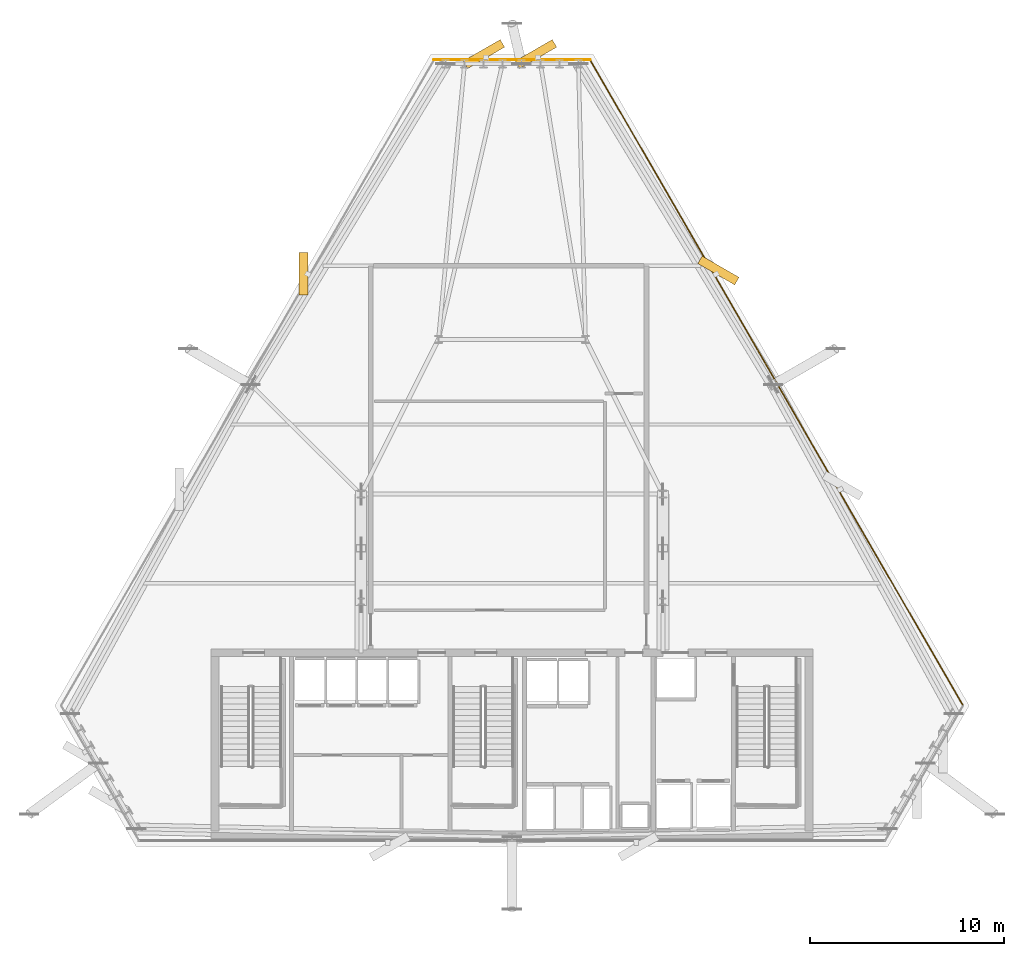
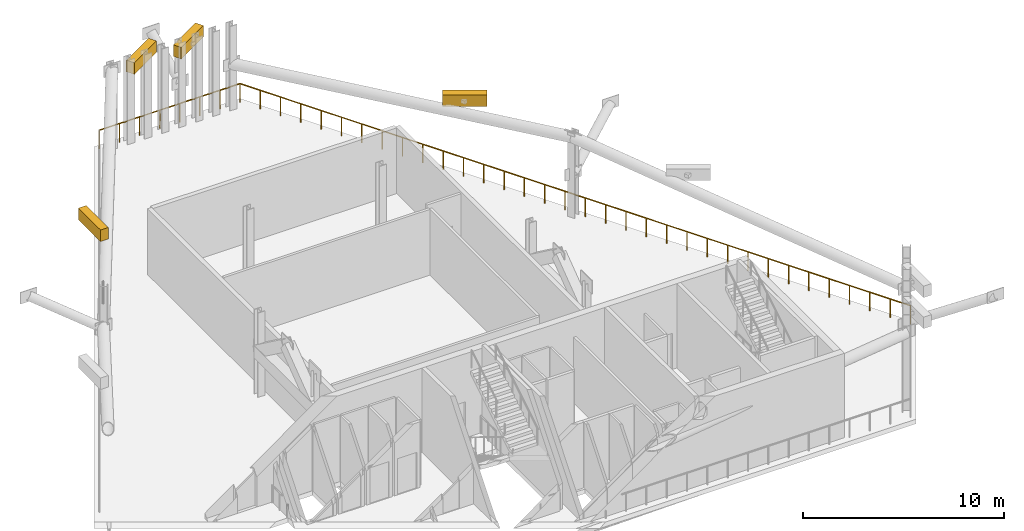
# One storey, part 11 of 11: 4 shading devices, 2 railings.
"""IFC4 building model written with IfcOpenShell, lengths in metres."""

from ifc_helpers import new_model, si_unit, direction, frame, origin, origin_2d, place, context, subcontext, project, spatial, rectangle, circle, extrude, material, layer, layer_set, type_object, element, save


model = new_model("IFC4")

# Units and contexts
model_context = context("Model", 3, precision=1e-05, world=origin(), true_north=direction((0.0, 1.0)))
body_context = subcontext(model_context, "Body", "Model", "MODEL_VIEW")
ifc_project = project(units=[si_unit("LENGTHUNIT", "METRE"), si_unit("AREAUNIT", "SQUARE_METRE"), si_unit("VOLUMEUNIT", "CUBIC_METRE"), si_unit("PLANEANGLEUNIT", "RADIAN"), si_unit("MASSUNIT", "GRAM", prefix="KILO")], contexts=[model_context])

# Site, building, storey
site_placement = place(None, origin())
site = spatial("IfcSite", under=ifc_project, at=site_placement, CompositionType="ELEMENT")
building_placement = place(site_placement, origin())
building = spatial("IfcBuilding", under=site, at=building_placement, Name="Ndaravel Arena Tower", CompositionType="ELEMENT")
storey_placement = place(building_placement, frame((0.0, 0.0, 203.0)))
storey = spatial("IfcBuildingStorey", under=building, at=storey_placement, Name="L49", CompositionType="ELEMENT", Elevation=203.0)

# Railings
ifc_material_1 = material(Name="Glazing", Category="glass")
ifc_layer = layer(ifc_material_1, 0.070068359375)
ifc_layer_set = layer_set([ifc_layer], Name="Glazing")
railing_type = type_object("IfcRailingType", Name="RAIL-TERRACE-1150", PredefinedType="BALUSTRADE", material=ifc_layer_set)
railing_1_placement = place(storey_placement, frame((65.3046875, 12.272705078125, 0.0)))
element("IfcRailing", 1, at=railing_1_placement, inside=storey, type_object=railing_type, Name="L49 Open Wind Floor Perimeter Guard 3", PredefinedType="BALUSTRADE", context=body_context, shape_type="SweptSolid", body=[
    extrude(circle(Radius=0.02392578125, at=origin_2d()), frame((0.0, 0.0, 1.1259765625), z_axis=(-0.500003977174, 0.86602310755, 0.0), x_axis=(-0.86602310755, -0.500003977174, 0.0)), (0.0, 0.0, 1.0), 38.534912109375),
    extrude(circle(Radius=0.02099609375, at=origin_2d()), origin(), (0.0, 0.0, 1.0), 1.101806640625),
    extrude(circle(Radius=0.02099609375, at=origin_2d()), frame((-0.583984375, 1.01123046875, 0.0)), (0.0, 0.0, 1.0), 1.101806640625),
    extrude(circle(Radius=0.02099609375, at=origin_2d()), frame((-1.167724609375, 2.0224609375, 0.0)), (0.0, 0.0, 1.0), 1.101806640625),
    extrude(circle(Radius=0.02099609375, at=origin_2d()), frame((-1.751708984375, 3.033935546875, 0.0)), (0.0, 0.0, 1.0), 1.101806640625),
    extrude(circle(Radius=0.02099609375, at=origin_2d()), frame((-2.33544921875, 4.045166015625, 0.0)), (0.0, 0.0, 1.0), 1.101806640625),
    extrude(circle(Radius=0.02099609375, at=origin_2d()), frame((-2.91943359375, 5.056396484375, 0.0)), (0.0, 0.0, 1.0), 1.101806640625),
    extrude(circle(Radius=0.02099609375, at=origin_2d()), frame((-3.503173828125, 6.067626953125, 0.0)), (0.0, 0.0, 1.0), 1.101806640625),
    extrude(circle(Radius=0.02099609375, at=origin_2d()), frame((-4.087158203125, 7.078857421875, 0.0)), (0.0, 0.0, 1.0), 1.101806640625),
    extrude(circle(Radius=0.02099609375, at=origin_2d()), frame((-4.6708984375, 8.090087890625, 0.0)), (0.0, 0.0, 1.0), 1.101806640625),
    extrude(circle(Radius=0.02099609375, at=origin_2d()), frame((-5.2548828125, 9.1015625, 0.0)), (0.0, 0.0, 1.0), 1.101806640625),
    extrude(circle(Radius=0.02099609375, at=origin_2d()), frame((-5.838623046875, 10.11279296875, 0.0)), (0.0, 0.0, 1.0), 1.101806640625),
    extrude(circle(Radius=0.02099609375, at=origin_2d()), frame((-6.422607421875, 11.1240234375, 0.0)), (0.0, 0.0, 1.0), 1.101806640625),
    extrude(circle(Radius=0.02099609375, at=origin_2d()), frame((-7.00634765625, 12.13525390625, 0.0)), (0.0, 0.0, 1.0), 1.101806640625),
    extrude(circle(Radius=0.02099609375, at=origin_2d()), frame((-7.59033203125, 13.146484375, 0.0)), (0.0, 0.0, 1.0), 1.101806640625),
    extrude(circle(Radius=0.02099609375, at=origin_2d()), frame((-8.174072265625, 14.157958984375, 0.0)), (0.0, 0.0, 1.0), 1.101806640625),
    extrude(circle(Radius=0.02099609375, at=origin_2d()), frame((-8.758056640625, 15.169189453125, 0.0)), (0.0, 0.0, 1.0), 1.101806640625),
    extrude(circle(Radius=0.02099609375, at=origin_2d()), frame((-9.341796875, 16.180419921875, 0.0)), (0.0, 0.0, 1.0), 1.101806640625),
    extrude(circle(Radius=0.02099609375, at=origin_2d()), frame((-9.92578125, 17.191650390625, 0.0)), (0.0, 0.0, 1.0), 1.101806640625),
    extrude(circle(Radius=0.02099609375, at=origin_2d()), frame((-10.509521484375, 18.202880859375, 0.0)), (0.0, 0.0, 1.0), 1.101806640625),
    extrude(circle(Radius=0.02099609375, at=origin_2d()), frame((-11.093505859375, 19.214111328125, 0.0)), (0.0, 0.0, 1.0), 1.101806640625),
    extrude(circle(Radius=0.02099609375, at=origin_2d()), frame((-11.67724609375, 20.2255859375, 0.0)), (0.0, 0.0, 1.0), 1.101806640625),
    extrude(circle(Radius=0.02099609375, at=origin_2d()), frame((-12.26123046875, 21.23681640625, 0.0)), (0.0, 0.0, 1.0), 1.101806640625),
    extrude(circle(Radius=0.02099609375, at=origin_2d()), frame((-12.844970703125, 22.248046875, 0.0)), (0.0, 0.0, 1.0), 1.101806640625),
    extrude(circle(Radius=0.02099609375, at=origin_2d()), frame((-13.428955078125, 23.25927734375, 0.0)), (0.0, 0.0, 1.0), 1.101806640625),
    extrude(circle(Radius=0.02099609375, at=origin_2d()), frame((-14.0126953125, 24.2705078125, 0.0)), (0.0, 0.0, 1.0), 1.101806640625),
    extrude(circle(Radius=0.02099609375, at=origin_2d()), frame((-14.5966796875, 25.281982421875, 0.0)), (0.0, 0.0, 1.0), 1.101806640625),
    extrude(circle(Radius=0.02099609375, at=origin_2d()), frame((-15.180419921875, 26.293212890625, 0.0)), (0.0, 0.0, 1.0), 1.101806640625),
    extrude(circle(Radius=0.02099609375, at=origin_2d()), frame((-15.764404296875, 27.304443359375, 0.0)), (0.0, 0.0, 1.0), 1.101806640625),
    extrude(circle(Radius=0.02099609375, at=origin_2d()), frame((-16.34814453125, 28.315673828125, 0.0)), (0.0, 0.0, 1.0), 1.101806640625),
    extrude(circle(Radius=0.02099609375, at=origin_2d()), frame((-16.93212890625, 29.326904296875, 0.0)), (0.0, 0.0, 1.0), 1.101806640625),
    extrude(circle(Radius=0.02099609375, at=origin_2d()), frame((-17.515869140625, 30.338134765625, 0.0)), (0.0, 0.0, 1.0), 1.101806640625),
    extrude(circle(Radius=0.02099609375, at=origin_2d()), frame((-18.099853515625, 31.349609375, 0.0)), (0.0, 0.0, 1.0), 1.101806640625),
    extrude(circle(Radius=0.02099609375, at=origin_2d()), frame((-18.68359375, 32.36083984375, 0.0)), (0.0, 0.0, 1.0), 1.101806640625),
    extrude(circle(Radius=0.02099609375, at=origin_2d()), frame((-19.267578125, 33.3720703125, 0.0)), (0.0, 0.0, 1.0), 1.101806640625),
])
railing_2_placement = place(storey_placement, frame((46.037109375, 45.644775390625, 0.0)))
element("IfcRailing", 2, at=railing_2_placement, inside=storey, type_object=railing_type, Name="L49 Open Wind Floor Perimeter Guard 4", PredefinedType="BALUSTRADE", context=body_context, shape_type="SweptSolid", body=[
    extrude(circle(Radius=0.02392578125, at=origin_2d()), frame((0.0, 0.0, 1.1259765625), z_axis=(-1.0, 0.0, 0.0), x_axis=(0.0, -1.0, 0.0)), (0.0, 0.0, 1.0), 8.07421875),
    extrude(circle(Radius=0.02099609375, at=origin_2d()), origin(), (0.0, 0.0, 1.0), 1.101806640625),
    extrude(circle(Radius=0.02099609375, at=origin_2d()), frame((-1.153564453125, 0.0, 0.0)), (0.0, 0.0, 1.0), 1.101806640625),
    extrude(circle(Radius=0.02099609375, at=origin_2d()), frame((-2.306884765625, 0.0, 0.0)), (0.0, 0.0, 1.0), 1.101806640625),
    extrude(circle(Radius=0.02099609375, at=origin_2d()), frame((-3.46044921875, 0.0, 0.0)), (0.0, 0.0, 1.0), 1.101806640625),
    extrude(circle(Radius=0.02099609375, at=origin_2d()), frame((-4.61376953125, 0.0, 0.0)), (0.0, 0.0, 1.0), 1.101806640625),
    extrude(circle(Radius=0.02099609375, at=origin_2d()), frame((-5.767333984375, 0.0, 0.0)), (0.0, 0.0, 1.0), 1.101806640625),
    extrude(circle(Radius=0.02099609375, at=origin_2d()), frame((-6.920654296875, 0.0, 0.0)), (0.0, 0.0, 1.0), 1.101806640625),
    extrude(circle(Radius=0.02099609375, at=origin_2d()), frame((-8.07421875, 0.0, 0.0)), (0.0, 0.0, 1.0), 1.101806640625),
])

# Shading devices
ifc_material_2 = material(Name="Aluminium", Category="aluminium")
shading_device_type = type_object("IfcShadingDeviceType", Name="SHD-WIND-LOUVRE", PredefinedType="JALOUSIE", material=ifc_material_2)
for number, where, z_axis, x_axis, name in (
    (3, (52.6669921875, 34.760009765625, 4.169921875), (0.0, 0.0, 1.0), (0.5, 0.866025403784, 0.0), "L49 Wind-Floor Acoustic Louvre 3.2"),
    (4, (43.2421875, 45.944091796875, 4.169921875), (0.0, 0.0, 1.0), (-0.5, 0.866025403784, 0.0), "L49 Wind-Floor Acoustic Louvre 4.1"),
    (5, (40.55078125, 45.944091796875, 4.169921875), (0.0, 0.0, 1.0), (-0.5, 0.866025403784, 0.0), "L49 Wind-Floor Acoustic Louvre 4.2"),
    (6, (31.2294921875, 34.580810546875, 4.169921875), (0.0, 0.0, 1.0), (-1.0, 0.0, 0.0), "L49 Wind-Floor Acoustic Louvre 5.1"),
):
    element("IfcShadingDevice", number, at=place(storey_placement, frame(where, z_axis=z_axis, x_axis=x_axis)), inside=storey, type_object=shading_device_type, Name=name, PredefinedType="JALOUSIE", context=body_context, shape_type="SweptSolid", body=[
        extrude(rectangle(XDim=0.449951171875, YDim=2.199951171875, at=origin_2d()), origin(), (0.0, 0.0, 1.0), 0.699951171875),
    ])

save(model, "model.ifc")
